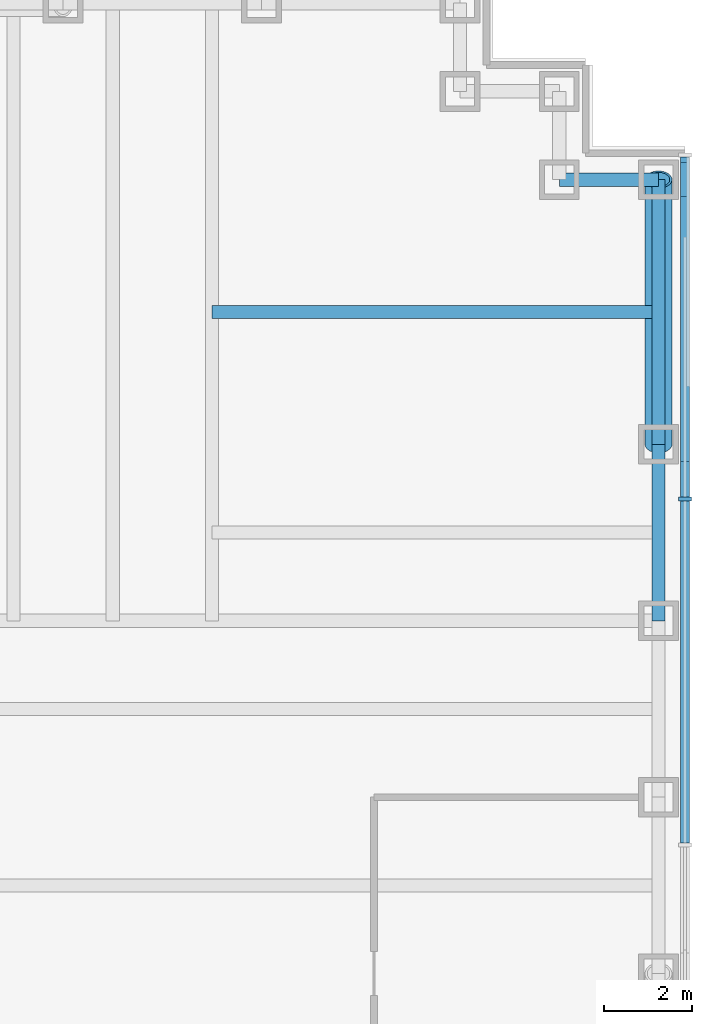
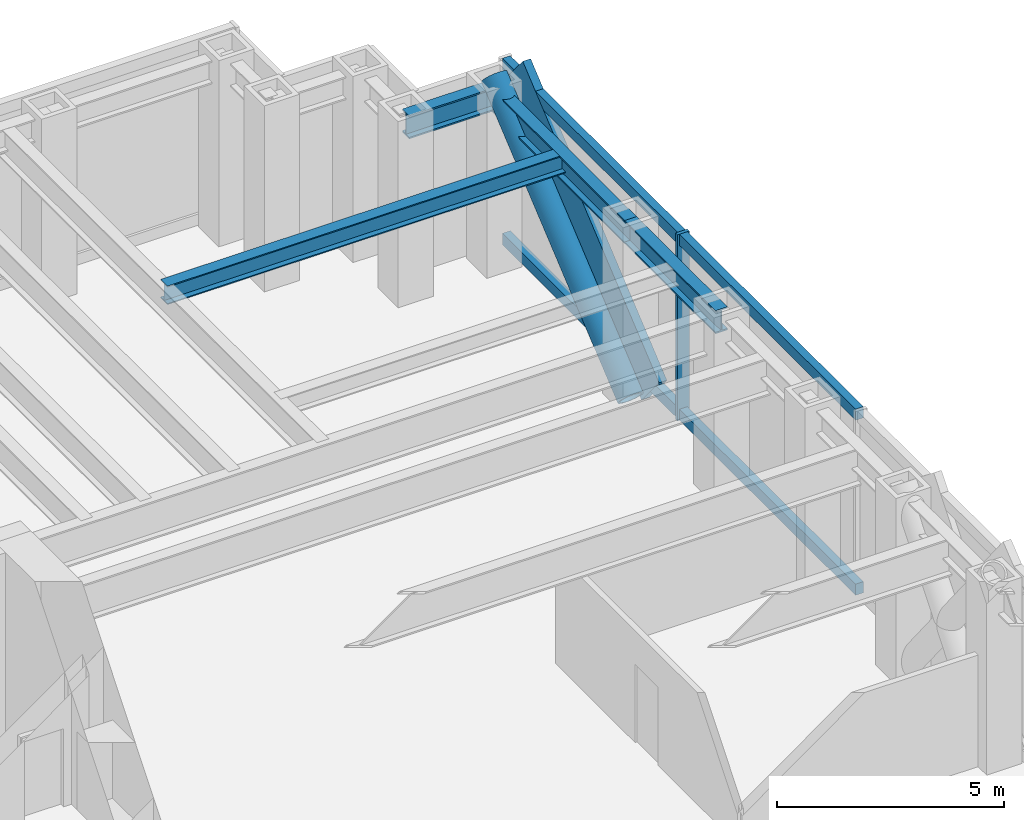
# One storey, part 8 of 17: 7 members, 4 beams, 1 element without a shape of its own.
"""IFC4 building model written with IfcOpenShell, lengths in metres."""

from ifc_helpers import new_model, si_unit, direction, frame, origin, origin_2d, place, context, subcontext, project, spatial, rectangle, hollow_circle, i_section, extrude, material, material_profile, profile_set, type_object, element, aggregate, save


model = new_model("IFC4")

# Units and contexts
model_context = context("Model", 3, precision=1e-05, world=origin(), true_north=direction((0.0, 1.0)))
body_context = subcontext(model_context, "Body", "Model", "MODEL_VIEW")
ifc_project = project(units=[si_unit("LENGTHUNIT", "METRE"), si_unit("AREAUNIT", "SQUARE_METRE"), si_unit("VOLUMEUNIT", "CUBIC_METRE"), si_unit("PLANEANGLEUNIT", "RADIAN"), si_unit("MASSUNIT", "GRAM", prefix="KILO")], contexts=[model_context])

# Site, building, storey
site_placement = place(None, origin())
site = spatial("IfcSite", under=ifc_project, at=site_placement, CompositionType="ELEMENT")
building_placement = place(site_placement, origin())
building = spatial("IfcBuilding", under=site, at=building_placement, Name="Rheinbord Bourse Tower", CompositionType="ELEMENT")
storey_placement = place(building_placement, frame((0.0, 0.0, 18.0)))
storey = spatial("IfcBuildingStorey", under=building, at=storey_placement, Name="L03", CompositionType="ELEMENT", Elevation=18.0)

# Curtain wall, members
ifc_material_1 = material(Name="Dark glass and black aluminium", Category="aluminium")
curtain_wall_type = type_object("IfcCurtainWallType", Name="CW4 DARK GLASS CURTAIN WALL", PredefinedType="USERDEFINED", material=ifc_material_1)
curtain_wall_placement = place(storey_placement, origin())
curtain_wall = element("IfcCurtainWall", 1, at=curtain_wall_placement, inside=storey, type_object=curtain_wall_type, Name="Curtain wall CW4 E L03", ObjectType="UNITISED CURTAIN WALL", PredefinedType="USERDEFINED")
ifc_material_2 = material(Name="Black anodised aluminium", Category="aluminium")
ifc_material_profile_1 = material_profile(ifc_material_2, rectangle(XDim=0.199951171875, YDim=1.2099609375, at=origin_2d()), Name="CW4 DIAGONAL MULLION 1210x200")
ifc_profile_set_1 = profile_set([ifc_material_profile_1], Name="Black anodised aluminium")
member_type_1 = type_object("IfcMemberType", Name="CW4 BLACK DIAGONAL MULLION", PredefinedType="USERDEFINED", material=ifc_profile_set_1)
member_1_placement = place(storey_placement, frame((72.60009765625, 36.0, 0.0), z_axis=(0.0, 0.768221279597, 0.640184399664), x_axis=(-1.0, 0.0, 0.0)))
member_1 = element("IfcMember", 2, at=member_1_placement, type_object=member_type_1, Name="CW4 diagonal mullion c", ObjectType="DIAGONAL MULLION", PredefinedType="USERDEFINED", context=body_context, shape_type="SweptSolid", body=[
    extrude(rectangle(XDim=0.199951171875, YDim=1.2099609375, at=origin_2d()), origin(), (0.0, 0.0, 1.0), 7.810302734375),
])
ifc_material_3 = material(Name="Black anodised aluminium", Category="aluminium")
ifc_material_profile_2 = material_profile(ifc_material_3, rectangle(XDim=0.300048828125, YDim=0.090087890625, at=origin_2d()), Name="CW4 MULLION 90x300")
ifc_profile_set_2 = profile_set([ifc_material_profile_2], Name="Black anodised aluminium")
member_type_2 = type_object("IfcMemberType", Name="CW4 BLACK MULLION", PredefinedType="MULLION", material=ifc_profile_set_2)
member_2_placement = place(storey_placement, frame((72.60009765625, 34.760009765625, 0.0), z_axis=(0.0, 0.0, 1.0), x_axis=(-1.0, 0.0, 0.0)))
member_2 = element("IfcMember", 3, at=member_2_placement, type_object=member_type_2, Name="CW4 mullion 5", PredefinedType="MULLION", context=body_context, shape_type="SweptSolid", body=[
    extrude(rectangle(XDim=0.300048828125, YDim=0.090087890625, at=origin_2d()), origin(), (0.0, 0.0, 1.0), 5.0),
])
ifc_material_4 = material(Name="Black anodised aluminium", Category="aluminium")
ifc_material_profile_3 = material_profile(ifc_material_4, rectangle(XDim=0.199951171875, YDim=0.300048828125, at=origin_2d()), Name="CW4 TRANSOM 300x200")
ifc_profile_set_3 = profile_set([ifc_material_profile_3], Name="Black anodised aluminium")
member_type_3 = type_object("IfcMemberType", Name="CW4 BLACK TRANSOM", PredefinedType="USERDEFINED", material=ifc_profile_set_3)
member_3_placement = place(storey_placement, frame((72.60009765625, 26.965087890625, 0.14990234375), z_axis=(0.0, 1.0, 0.0), x_axis=(-1.0, 0.0, 0.0)))
member_3 = element("IfcMember", 4, at=member_3_placement, type_object=member_type_3, Name="CW4 transom 4.1", ObjectType="TRANSOM", PredefinedType="USERDEFINED", context=body_context, shape_type="SweptSolid", body=[
    extrude(rectangle(XDim=0.199951171875, YDim=0.300048828125, at=origin_2d()), origin(), (0.0, 0.0, 1.0), 7.75),
])
member_4_placement = place(storey_placement, frame((72.60009765625, 26.965087890625, 4.85009765625), z_axis=(0.0, 1.0, 0.0), x_axis=(-1.0, 0.0, 0.0)))
member_4 = element("IfcMember", 5, at=member_4_placement, type_object=member_type_3, Name="CW4 transom 4.2", ObjectType="TRANSOM", PredefinedType="USERDEFINED", context=body_context, shape_type="SweptSolid", body=[
    extrude(rectangle(XDim=0.199951171875, YDim=0.300048828125, at=origin_2d()), origin(), (0.0, 0.0, 1.0), 7.75),
])
member_5_placement = place(storey_placement, frame((72.60009765625, 34.804931640625, 0.14990234375), z_axis=(0.0, 1.0, 0.0), x_axis=(-1.0, 0.0, 0.0)))
member_5 = element("IfcMember", 6, at=member_5_placement, type_object=member_type_3, Name="CW4 transom 5.1", ObjectType="TRANSOM", PredefinedType="USERDEFINED", context=body_context, shape_type="SweptSolid", body=[
    extrude(rectangle(XDim=0.199951171875, YDim=0.300048828125, at=origin_2d()), origin(), (0.0, 0.0, 1.0), 7.705078125),
])
member_6_placement = place(storey_placement, frame((72.60009765625, 34.804931640625, 4.85009765625), z_axis=(0.0, 1.0, 0.0), x_axis=(-1.0, 0.0, 0.0)))
member_6 = element("IfcMember", 7, at=member_6_placement, type_object=member_type_3, Name="CW4 transom 5.2", ObjectType="TRANSOM", PredefinedType="USERDEFINED", context=body_context, shape_type="SweptSolid", body=[
    extrude(rectangle(XDim=0.199951171875, YDim=0.300048828125, at=origin_2d()), origin(), (0.0, 0.0, 1.0), 7.705078125),
])
aggregate(curtain_wall, [member_2, member_3, member_4, member_5, member_6, member_1])

# Member
ifc_material_5 = material(Name="Steel S460", Category="steel")
ifc_material_profile_4 = material_profile(ifc_material_5, hollow_circle(Radius=0.304931640625, WallThickness=0.050048828125, at=origin_2d()), Name="CHS 610x50")
ifc_profile_set_4 = profile_set([ifc_material_profile_4], Name="Steel S460")
member_type_4 = type_object("IfcMemberType", Name="MEGABRACE CHS 610x50", PredefinedType="BRACE", material=ifc_profile_set_4)
member_7_placement = place(storey_placement, frame((72.0, 36.0, 0.0), z_axis=(0.0, 0.768221279597, 0.640184399664), x_axis=(-1.0, 0.0, 0.0)))
element("IfcMember", 8, at=member_7_placement, inside=storey, type_object=member_type_4, Name="Megabrace E face line c L03", PredefinedType="BRACE", context=body_context, shape_type="SweptSolid", body=[
    extrude(hollow_circle(Radius=0.304931640625, WallThickness=0.050048828125, at=origin_2d()), origin(), (0.0, 0.0, 1.0), 7.810302734375),
])

# Beams
ifc_material_6 = material(Name="Steel S460", Category="steel")
ifc_material_profile_5 = material_profile(ifc_material_6, i_section(OverallWidth=0.304931640625, OverallDepth=0.6201171875, WebThickness=0.02099609375, FlangeThickness=0.0400390625, at=origin_2d()), Name="HEM 600")
ifc_profile_set_5 = profile_set([ifc_material_profile_5], Name="Steel S460")
beam_type_1 = type_object("IfcBeamType", Name="SPANDREL HEM 600", PredefinedType="SPANDREL", material=ifc_profile_set_5)
beam_1_placement = place(storey_placement, frame((72.0, 32.0, 4.510009765625), z_axis=(0.0, 1.0, 0.0), x_axis=(-1.0, 0.0, 0.0)))
element("IfcBeam", 9, at=beam_1_placement, inside=storey, type_object=beam_type_1, Name="Spandrel E-32-E-36 under L04", PredefinedType="SPANDREL", context=body_context, shape_type="SweptSolid", body=[
    extrude(i_section(OverallWidth=0.304931640625, OverallDepth=0.6201171875, WebThickness=0.02099609375, FlangeThickness=0.0400390625, at=origin_2d()), origin(), (0.0, 0.0, 1.0), 4.0),
])
beam_2_placement = place(storey_placement, frame((72.0, 36.0, 4.510009765625), z_axis=(0.0, 1.0, 0.0), x_axis=(-1.0, 0.0, 0.0)))
element("IfcBeam", 10, at=beam_2_placement, inside=storey, type_object=beam_type_1, Name="Spandrel E-36-NE-A under L04", PredefinedType="SPANDREL", context=body_context, shape_type="SweptSolid", body=[
    extrude(i_section(OverallWidth=0.304931640625, OverallDepth=0.6201171875, WebThickness=0.02099609375, FlangeThickness=0.0400390625, at=origin_2d()), origin(), (0.0, 0.0, 1.0), 6.0),
])
beam_3_placement = place(storey_placement, frame((72.0, 42.0, 4.510009765625), z_axis=(-1.0, 0.0, 0.0), x_axis=(0.0, -1.0, 0.0)))
element("IfcBeam", 11, at=beam_3_placement, inside=storey, type_object=beam_type_1, Name="Spandrel NE-A-NE-B under L04", PredefinedType="SPANDREL", context=body_context, shape_type="SweptSolid", body=[
    extrude(i_section(OverallWidth=0.304931640625, OverallDepth=0.6201171875, WebThickness=0.02099609375, FlangeThickness=0.0400390625, at=origin_2d()), origin(), (0.0, 0.0, 1.0), 2.25),
])
ifc_material_7 = material(Name="Steel S460", Category="steel")
ifc_material_profile_6 = material_profile(ifc_material_7, i_section(OverallWidth=0.300048828125, OverallDepth=0.5, WebThickness=0.014404296875, FlangeThickness=0.028076171875, at=origin_2d()), Name="HEB 500")
ifc_profile_set_6 = profile_set([ifc_material_profile_6], Name="Steel S460")
beam_type_2 = type_object("IfcBeamType", Name="TIE BEAM HEB 500", PredefinedType="JOIST", material=ifc_profile_set_6)
beam_4_placement = place(storey_placement, frame((61.875, 39.0, 4.570068359375), z_axis=(1.0, 0.0, 0.0), x_axis=(0.0, 1.0, 0.0)))
element("IfcBeam", 12, at=beam_4_placement, inside=storey, type_object=beam_type_2, Name="Tie east 39 L04", PredefinedType="JOIST", context=body_context, shape_type="SweptSolid", body=[
    extrude(i_section(OverallWidth=0.300048828125, OverallDepth=0.5, WebThickness=0.014404296875, FlangeThickness=0.028076171875, at=origin_2d()), origin(), (0.0, 0.0, 1.0), 10.125),
])

save(model, "model.ifc")
